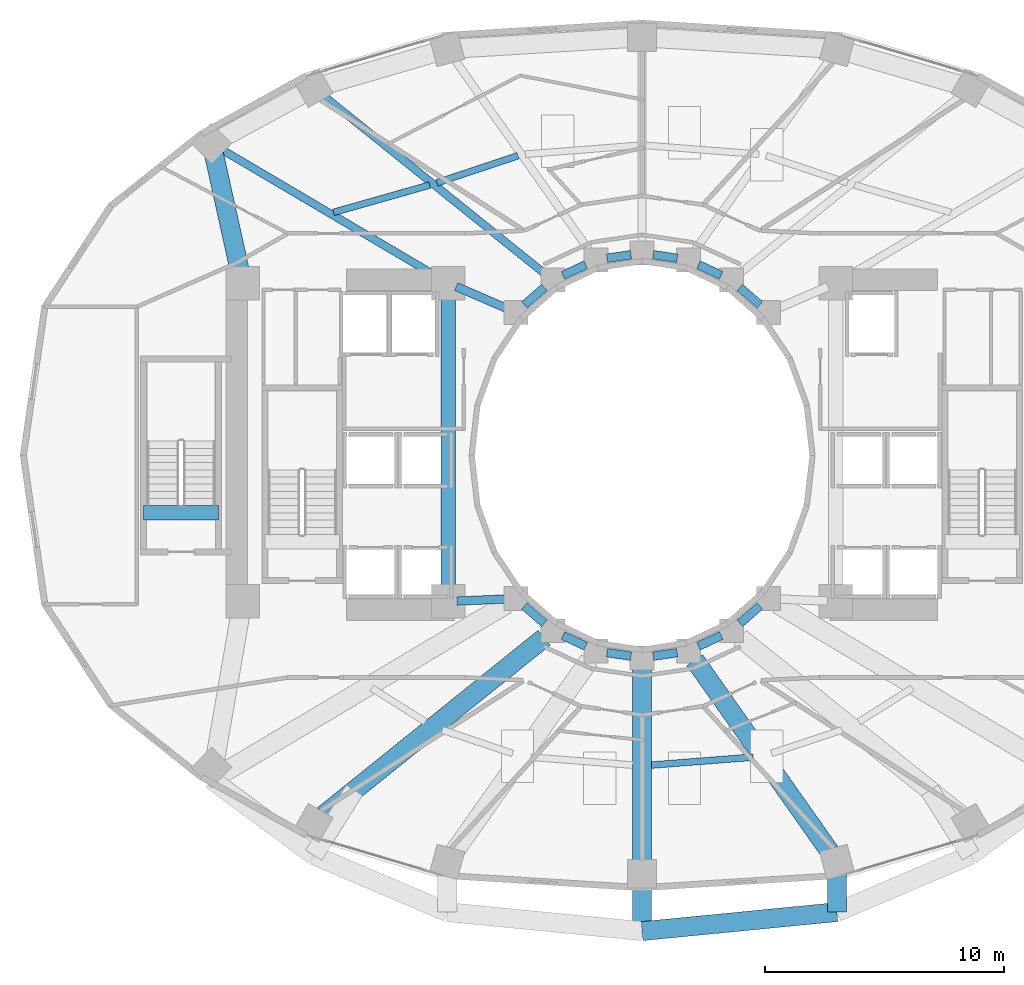
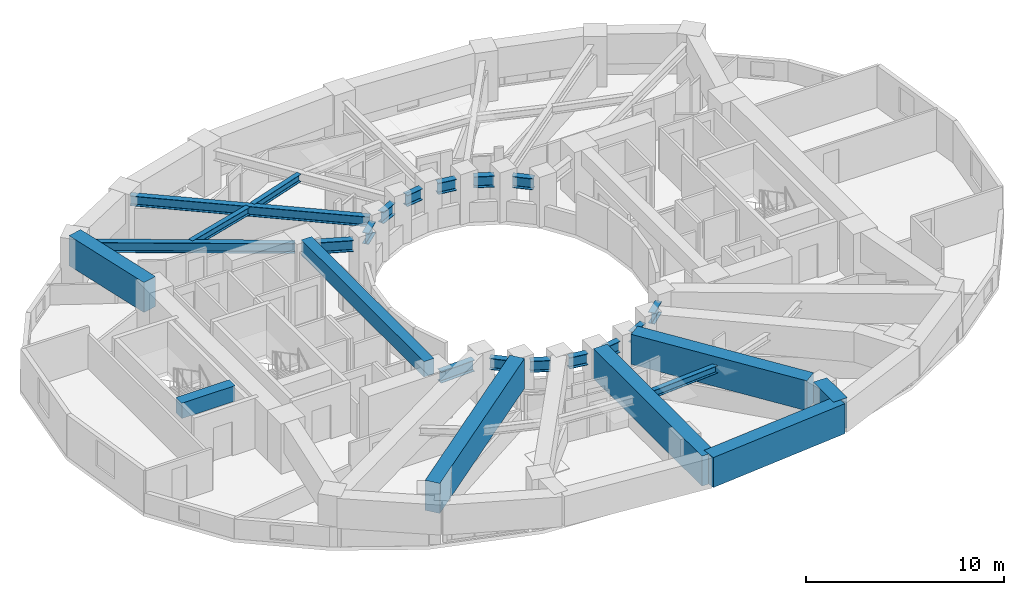
# One storey, part 4 of 17: 27 beams.
"""IFC4 building model written with IfcOpenShell, lengths in metres."""

from ifc_helpers import new_model, si_unit, direction, frame, origin, origin_2d, place, context, subcontext, project, spatial, rectangle, i_section, extrude, material, material_profile, profile_set, type_object, element, save


model = new_model("IFC4")

# Units and contexts
model_context = context("Model", 3, precision=1e-05, world=origin(), true_north=direction((0.0, 1.0)))
body_context = subcontext(model_context, "Body", "Model", "MODEL_VIEW")
ifc_project = project(units=[si_unit("LENGTHUNIT", "METRE"), si_unit("AREAUNIT", "SQUARE_METRE"), si_unit("VOLUMEUNIT", "CUBIC_METRE"), si_unit("PLANEANGLEUNIT", "RADIAN"), si_unit("MASSUNIT", "GRAM", prefix="KILO")], contexts=[model_context])

# Site, building, storey
site_placement = place(None, origin())
site = spatial("IfcSite", under=ifc_project, at=site_placement, CompositionType="ELEMENT")
building_placement = place(site_placement, origin())
building = spatial("IfcBuilding", under=site, at=building_placement, Name="Solvane Sanctuary Tower", CompositionType="ELEMENT")
storey_placement = place(building_placement, frame((0.0, 0.0, 52.39990234375)))
storey = spatial("IfcBuildingStorey", under=building, at=storey_placement, Name="L15", CompositionType="ELEMENT", Elevation=52.39990234375)

# Beams
ifc_material_1 = material(Name="Concrete C70/85", Category="concrete")
ifc_material_profile_1 = material_profile(ifc_material_1, rectangle(XDim=0.60009765625, YDim=0.949951171875, at=origin_2d()), Name="RC600X950")
ifc_profile_set_1 = profile_set([ifc_material_profile_1], Name="Concrete C70/85")
beam_type_1 = type_object("IfcBeamType", Name="Beam B-COUPLE RC600X950", PredefinedType="LINTEL", material=ifc_profile_set_1)
beam_1_placement = place(storey_placement, frame((23.89990234375, 17.35009765625, 2.625), z_axis=(0.0, 1.0, 0.0), x_axis=(-1.0, 0.0, 0.0)))
element("IfcBeam", 1, at=beam_1_placement, inside=storey, type_object=beam_type_1, Name="L15 West Core Coupling Lintel", PredefinedType="LINTEL", context=body_context, shape_type="SweptSolid", body=[
    extrude(rectangle(XDim=0.60009765625, YDim=0.949951171875, at=origin_2d()), origin(), (0.0, 0.0, 1.0), 12.39990234375),
])
beam_2_placement = place(storey_placement, frame((11.169921875, 20.59912109375, 2.625), z_axis=(1.0, 0.0, 0.0), x_axis=(0.0, 1.0, 0.0)))
element("IfcBeam", 2, at=beam_2_placement, inside=storey, type_object=beam_type_1, Name="L15 ST-3 Stair Floor Landing Trimmer", PredefinedType="LINTEL", context=body_context, shape_type="SweptSolid", body=[
    extrude(rectangle(XDim=0.60009765625, YDim=0.949951171875, at=origin_2d()), origin(), (0.0, 0.0, 1.0), 3.1201171875),
])
ifc_material_2 = material(Name="Steel ASTM A992 Grade 50", Category="steel")
ifc_material_profile_2 = material_profile(ifc_material_2, i_section(OverallWidth=0.323974609375, OverallDepth=0.611083984375, WebThickness=0.0126953125, FlangeThickness=0.01904296875, FilletRadius=0.01611328125, at=origin_2d()), Name="W24X104")
ifc_profile_set_2 = profile_set([ifc_material_profile_2], Name="Steel ASTM A992 Grade 50")
beam_type_2 = type_object("IfcBeamType", Name="Beam B-RAD-Z1 W24X104", PredefinedType="BEAM", material=ifc_profile_set_2)
beam_3_placement = place(storey_placement, frame((28.0517578125, 30.501953125, 2.29248046875), z_axis=(-0.779526985436, 0.626368644631, 0.0), x_axis=(-0.626368644631, -0.779526985436, 0.0)))
element("IfcBeam", 3, at=beam_3_placement, inside=storey, type_object=beam_type_2, Name="L15 Radial Composite Floor Beam 06", PredefinedType="BEAM", context=body_context, shape_type="SweptSolid", body=[
    extrude(i_section(OverallWidth=0.323974609375, OverallDepth=0.611083984375, WebThickness=0.0126953125, FlangeThickness=0.01904296875, FilletRadius=0.01611328125, at=origin_2d()), origin(), (0.0, 0.0, 1.0), 12.2646484375),
])
beam_4_placement = place(storey_placement, frame((23.58984375, 30.3828125, 2.29248046875), z_axis=(-0.861291129905, 0.508111788435, 0.0), x_axis=(-0.508111788435, -0.861291129905, 0.0)))
element("IfcBeam", 4, at=beam_4_placement, inside=storey, type_object=beam_type_2, Name="L15 Radial Composite Floor Beam 07", PredefinedType="BEAM", context=body_context, shape_type="SweptSolid", body=[
    extrude(i_section(OverallWidth=0.323974609375, OverallDepth=0.611083984375, WebThickness=0.0126953125, FlangeThickness=0.01904296875, FilletRadius=0.01611328125, at=origin_2d()), origin(), (0.0, 0.0, 1.0), 10.844482421875),
])
ifc_material_profile_3 = material_profile(ifc_material_2, i_section(OverallWidth=0.35498046875, OverallDepth=0.695068359375, WebThickness=0.015380859375, FlangeThickness=0.02490234375, FilletRadius=0.01806640625, at=origin_2d()), Name="W27X146")
ifc_profile_set_3 = profile_set([ifc_material_profile_3], Name="Steel ASTM A992 Grade 50")
beam_type_3 = type_object("IfcBeamType", Name="Beam B-RING-IN1 W27X146", PredefinedType="BEAM", material=ifc_profile_set_3)
beam_5_placement = place(storey_placement, frame((24.230712890625, 30.0576171875, 2.25048828125), z_axis=(0.918277080365, -0.395938383687, 0.0), x_axis=(0.395938383687, 0.918277080365, 0.0)))
element("IfcBeam", 5, at=beam_5_placement, inside=storey, type_object=beam_type_3, Name="L15 Inner Light-Well Ring Beam CW3-IC07", PredefinedType="BEAM", context=body_context, shape_type="SweptSolid", body=[
    extrude(i_section(OverallWidth=0.35498046875, OverallDepth=0.695068359375, WebThickness=0.015380859375, FlangeThickness=0.02490234375, FilletRadius=0.01806640625, at=origin_2d()), origin(), (0.0, 0.0, 1.0), 2.246337890625),
])
beam_6_placement = place(storey_placement, frame((27.07958984375, 29.29052734375, 2.25048828125), z_axis=(0.754320881993, 0.65650590781, 0.0), x_axis=(-0.65650590781, 0.754320881993, 0.0)))
element("IfcBeam", 6, at=beam_6_placement, inside=storey, type_object=beam_type_3, Name="L15 Inner Light-Well Ring Beam IC07-IC06", PredefinedType="BEAM", context=body_context, shape_type="SweptSolid", body=[
    extrude(i_section(OverallWidth=0.35498046875, OverallDepth=0.695068359375, WebThickness=0.015380859375, FlangeThickness=0.02490234375, FilletRadius=0.01806640625, at=origin_2d()), origin(), (0.0, 0.0, 1.0), 1.108154296875),
])
beam_7_placement = place(storey_placement, frame((28.6953125, 30.5263671875, 2.25048828125), z_axis=(0.905108885866, 0.42517984986, 0.0), x_axis=(-0.42517984986, 0.905108885866, 0.0)))
element("IfcBeam", 7, at=beam_7_placement, inside=storey, type_object=beam_type_3, Name="L15 Inner Light-Well Ring Beam IC06-IC05", PredefinedType="BEAM", context=body_context, shape_type="SweptSolid", body=[
    extrude(i_section(OverallWidth=0.35498046875, OverallDepth=0.695068359375, WebThickness=0.015380859375, FlangeThickness=0.02490234375, FilletRadius=0.01806640625, at=origin_2d()), origin(), (0.0, 0.0, 1.0), 1.0478515625),
])
for number, where, z_axis, x_axis, name in (
    (8, (30.533935546875, 31.2412109375, 2.25048828125), (0.989047520133, 0.147597435338, 0.0), (-0.147597435338, 0.989047520133, 0.0), "L15 Inner Light-Well Ring Beam IC05-IC04"),
    (9, (32.46484375, 31.390625, 2.25048828125), (0.989047520133, -0.147597435338, 0.0), (0.147597435338, 0.989047520133, 0.0), "L15 Inner Light-Well Ring Beam IC04-IC03"),
):
    element("IfcBeam", number, at=place(storey_placement, frame(where, z_axis=z_axis, x_axis=x_axis)), inside=storey, type_object=beam_type_3, Name=name, PredefinedType="BEAM", context=body_context, shape_type="SweptSolid", body=[
        extrude(i_section(OverallWidth=0.35498046875, OverallDepth=0.695068359375, WebThickness=0.015380859375, FlangeThickness=0.02490234375, FilletRadius=0.01806640625, at=origin_2d()), origin(), (0.0, 0.0, 1.0), 1.01220703125),
    ])
beam_8_placement = place(storey_placement, frame((34.356201171875, 30.971923828125, 2.25048828125), z_axis=(0.905108885866, -0.42517984986, 0.0), x_axis=(0.42517984986, 0.905108885866, 0.0)))
element("IfcBeam", 10, at=beam_8_placement, inside=storey, type_object=beam_type_3, Name="L15 Inner Light-Well Ring Beam IC03-IC02", PredefinedType="BEAM", context=body_context, shape_type="SweptSolid", body=[
    extrude(i_section(OverallWidth=0.35498046875, OverallDepth=0.695068359375, WebThickness=0.015380859375, FlangeThickness=0.02490234375, FilletRadius=0.01806640625, at=origin_2d()), origin(), (0.0, 0.0, 1.0), 1.0478515625),
])
beam_9_placement = place(storey_placement, frame((36.08447265625, 30.01806640625, 2.25048828125), z_axis=(0.754320881993, -0.65650590781, 0.0), x_axis=(0.65650590781, 0.754320881993, 0.0)))
element("IfcBeam", 11, at=beam_9_placement, inside=storey, type_object=beam_type_3, Name="L15 Inner Light-Well Ring Beam IC02-IC01", PredefinedType="BEAM", context=body_context, shape_type="SweptSolid", body=[
    extrude(i_section(OverallWidth=0.35498046875, OverallDepth=0.695068359375, WebThickness=0.015380859375, FlangeThickness=0.02490234375, FilletRadius=0.01806640625, at=origin_2d()), origin(), (0.0, 0.0, 1.0), 1.108154296875),
])
beam_10_placement = place(storey_placement, frame((24.259765625, 16.9150390625, 2.25048828125), z_axis=(0.999130953379, 0.041681386726, 0.0), x_axis=(-0.041681386726, 0.999130953379, 0.0)))
element("IfcBeam", 12, at=beam_10_placement, inside=storey, type_object=beam_type_3, Name="L15 Inner Light-Well Ring Beam CW2-IC08", PredefinedType="BEAM", context=body_context, shape_type="SweptSolid", body=[
    extrude(i_section(OverallWidth=0.35498046875, OverallDepth=0.695068359375, WebThickness=0.015380859375, FlangeThickness=0.02490234375, FilletRadius=0.01806640625, at=origin_2d()), origin(), (0.0, 0.0, 1.0), 1.997314453125),
])
beam_11_placement = place(storey_placement, frame((27.07958984375, 16.70947265625, 2.25048828125), z_axis=(0.754320881993, -0.65650590781, 0.0), x_axis=(0.65650590781, 0.754320881993, 0.0)))
element("IfcBeam", 13, at=beam_11_placement, inside=storey, type_object=beam_type_3, Name="L15 Inner Light-Well Ring Beam IC08-IC09", PredefinedType="BEAM", context=body_context, shape_type="SweptSolid", body=[
    extrude(i_section(OverallWidth=0.35498046875, OverallDepth=0.695068359375, WebThickness=0.015380859375, FlangeThickness=0.02490234375, FilletRadius=0.01806640625, at=origin_2d()), origin(), (0.0, 0.0, 1.0), 1.108154296875),
])
beam_12_placement = place(storey_placement, frame((28.6953125, 15.4736328125, 2.25048828125), z_axis=(0.905108885866, -0.42517984986, 0.0), x_axis=(0.42517984986, 0.905108885866, 0.0)))
element("IfcBeam", 14, at=beam_12_placement, inside=storey, type_object=beam_type_3, Name="L15 Inner Light-Well Ring Beam IC09-IC10", PredefinedType="BEAM", context=body_context, shape_type="SweptSolid", body=[
    extrude(i_section(OverallWidth=0.35498046875, OverallDepth=0.695068359375, WebThickness=0.015380859375, FlangeThickness=0.02490234375, FilletRadius=0.01806640625, at=origin_2d()), origin(), (0.0, 0.0, 1.0), 1.0478515625),
])
for number, where, z_axis, x_axis, name in (
    (15, (30.533935546875, 14.7587890625, 2.25048828125), (0.989047520133, -0.147597435338, 0.0), (0.147597435338, 0.989047520133, 0.0), "L15 Inner Light-Well Ring Beam IC10-IC11"),
    (16, (32.46484375, 14.609375, 2.25048828125), (0.989047520133, 0.147597435338, 0.0), (-0.147597435338, 0.989047520133, 0.0), "L15 Inner Light-Well Ring Beam IC11-IC12"),
):
    element("IfcBeam", number, at=place(storey_placement, frame(where, z_axis=z_axis, x_axis=x_axis)), inside=storey, type_object=beam_type_3, Name=name, PredefinedType="BEAM", context=body_context, shape_type="SweptSolid", body=[
        extrude(i_section(OverallWidth=0.35498046875, OverallDepth=0.695068359375, WebThickness=0.015380859375, FlangeThickness=0.02490234375, FilletRadius=0.01806640625, at=origin_2d()), origin(), (0.0, 0.0, 1.0), 1.01220703125),
    ])
beam_13_placement = place(storey_placement, frame((34.356201171875, 15.028076171875, 2.25048828125), z_axis=(0.905108885866, 0.42517984986, 0.0), x_axis=(-0.42517984986, 0.905108885866, 0.0)))
element("IfcBeam", 17, at=beam_13_placement, inside=storey, type_object=beam_type_3, Name="L15 Inner Light-Well Ring Beam IC12-IC13", PredefinedType="BEAM", context=body_context, shape_type="SweptSolid", body=[
    extrude(i_section(OverallWidth=0.35498046875, OverallDepth=0.695068359375, WebThickness=0.015380859375, FlangeThickness=0.02490234375, FilletRadius=0.01806640625, at=origin_2d()), origin(), (0.0, 0.0, 1.0), 1.0478515625),
])
beam_14_placement = place(storey_placement, frame((36.08447265625, 15.98193359375, 2.25048828125), z_axis=(0.754320881993, 0.65650590781, 0.0), x_axis=(-0.65650590781, 0.754320881993, 0.0)))
element("IfcBeam", 18, at=beam_14_placement, inside=storey, type_object=beam_type_3, Name="L15 Inner Light-Well Ring Beam IC13-IC14", PredefinedType="BEAM", context=body_context, shape_type="SweptSolid", body=[
    extrude(i_section(OverallWidth=0.35498046875, OverallDepth=0.695068359375, WebThickness=0.015380859375, FlangeThickness=0.02490234375, FilletRadius=0.01806640625, at=origin_2d()), origin(), (0.0, 0.0, 1.0), 1.108154296875),
])
ifc_material_profile_4 = material_profile(ifc_material_2, i_section(OverallWidth=0.280029296875, OverallDepth=0.462890625, WebThickness=0.0107421875, FlangeThickness=0.017333984375, FilletRadius=0.013916015625, at=origin_2d()), Name="W18X76")
ifc_profile_set_4 = profile_set([ifc_material_profile_4], Name="Steel ASTM A992 Grade 50")
beam_type_4 = type_object("IfcBeamType", Name="Beam B-SEC-JOIST W18X76", PredefinedType="JOIST", material=ifc_profile_set_4)
beam_15_placement = place(storey_placement, frame((19.10498046875, 33.160400390625, 2.36669921875), z_axis=(0.962003645121, 0.273036603358, 0.0), x_axis=(-0.273036603358, 0.962003645121, 0.0)))
element("IfcBeam", 19, at=beam_15_placement, inside=storey, type_object=beam_type_4, Name="L15 Secondary Circumferential Joist 07-06", PredefinedType="JOIST", context=body_context, shape_type="SweptSolid", body=[
    extrude(i_section(OverallWidth=0.280029296875, OverallDepth=0.462890625, WebThickness=0.0107421875, FlangeThickness=0.017333984375, FilletRadius=0.013916015625, at=origin_2d()), origin(), (0.0, 0.0, 1.0), 4.174072265625),
])
beam_16_placement = place(storey_placement, frame((23.42041015625, 34.392822265625, 2.36669921875), z_axis=(0.948259393162, 0.317496650816, 0.0), x_axis=(-0.317496650816, 0.948259393162, 0.0)))
element("IfcBeam", 20, at=beam_16_placement, inside=storey, type_object=beam_type_4, Name="L15 Secondary Circumferential Joist 06-05", PredefinedType="JOIST", context=body_context, shape_type="SweptSolid", body=[
    extrude(i_section(OverallWidth=0.280029296875, OverallDepth=0.462890625, WebThickness=0.0107421875, FlangeThickness=0.017333984375, FilletRadius=0.013916015625, at=origin_2d()), origin(), (0.0, 0.0, 1.0), 3.577880859375),
])
beam_17_placement = place(storey_placement, frame((32.393798828125, 10.060546875, 2.36669921875), z_axis=(0.99699353627, 0.077484763891, 0.0), x_axis=(-0.077484763891, 0.99699353627, 0.0)))
element("IfcBeam", 21, at=beam_17_placement, inside=storey, type_object=beam_type_4, Name="L15 Secondary Circumferential Joist 11-12", PredefinedType="JOIST", context=body_context, shape_type="SweptSolid", body=[
    extrude(i_section(OverallWidth=0.280029296875, OverallDepth=0.462890625, WebThickness=0.0107421875, FlangeThickness=0.017333984375, FilletRadius=0.013916015625, at=origin_2d()), origin(), (0.0, 0.0, 1.0), 4.262939453125),
])
ifc_material_profile_5 = material_profile(ifc_material_1, rectangle(XDim=0.800048828125, YDim=1.85009765625, at=origin_2d()), Name="RC800X1850")
ifc_profile_set_5 = profile_set([ifc_material_profile_5], Name="Concrete C70/85")
beam_type_5 = type_object("IfcBeamType", Name="Beam B-XFER-BLK RC800X1850", PredefinedType="BEAM", material=ifc_profile_set_5)
beam_18_placement = place(storey_placement, frame((27.903564453125, 15.37890625, 2.175048828125), z_axis=(-0.779534656312, -0.626359097969, 0.0), x_axis=(0.626359097969, -0.779534656312, 0.0)))
element("IfcBeam", 22, at=beam_18_placement, inside=storey, type_object=beam_type_5, Name="L15 Block-Shift Radial Transfer Girder 09A", PredefinedType="BEAM", context=body_context, shape_type="SweptSolid", body=[
    extrude(rectangle(XDim=0.800048828125, YDim=1.85009765625, at=origin_2d()), origin(), (0.0, 0.0, 1.0), 11.83447265625),
])
beam_19_placement = place(storey_placement, frame((32.0, 14.070068359375, 2.175048828125), z_axis=(0.0, -1.0, 0.0), x_axis=(1.0, 0.0, 0.0)))
element("IfcBeam", 23, at=beam_19_placement, inside=storey, type_object=beam_type_5, Name="L15 Block-Shift Radial Transfer Girder 11A", PredefinedType="BEAM", context=body_context, shape_type="SweptSolid", body=[
    extrude(rectangle(XDim=0.800048828125, YDim=1.85009765625, at=origin_2d()), origin(), (0.0, 0.0, 1.0), 10.949951171875),
])
beam_20_placement = place(storey_placement, frame((34.20166015625, 14.444091796875, 2.175048828125), z_axis=(0.576221171819, -0.817293803444, 0.0), x_axis=(0.817293803444, 0.576221171819, 0.0)))
element("IfcBeam", 24, at=beam_20_placement, inside=storey, type_object=beam_type_5, Name="L15 Block-Shift Radial Transfer Girder 12A", PredefinedType="BEAM", context=body_context, shape_type="SweptSolid", body=[
    extrude(rectangle(XDim=0.800048828125, YDim=1.85009765625, at=origin_2d()), origin(), (0.0, 0.0, 1.0), 9.794189453125),
])
beam_21_placement = place(storey_placement, frame((40.14501953125, 5.964599609375, 2.175048828125), z_axis=(0.0, -1.0, 0.0), x_axis=(1.0, 0.0, 0.0)))
element("IfcBeam", 25, at=beam_21_placement, inside=storey, type_object=beam_type_5, Name="L15 Block-Shift Transfer Tie 12B", PredefinedType="BEAM", context=body_context, shape_type="SweptSolid", body=[
    extrude(rectangle(XDim=0.800048828125, YDim=1.85009765625, at=origin_2d()), origin(), (0.0, 0.0, 1.0), 2.04833984375),
])
beam_22_placement = place(storey_placement, frame((15.22216796875, 30.551513671875, 2.175048828125), z_axis=(-0.216120353699, 0.976366730648, 0.0), x_axis=(-0.976366730648, -0.216120353699, 0.0)))
element("IfcBeam", 26, at=beam_22_placement, inside=storey, type_object=beam_type_5, Name="L15 Perimeter Step Transfer Ring CW4-NTC07", PredefinedType="BEAM", context=body_context, shape_type="SweptSolid", body=[
    extrude(rectangle(XDim=0.800048828125, YDim=1.85009765625, at=origin_2d()), origin(), (0.0, 0.0, 1.0), 5.61669921875),
])
beam_23_placement = place(storey_placement, frame((32.0, 3.1201171875, 2.175048828125), z_axis=(0.995256826983, 0.097282312595, 0.0), x_axis=(-0.097282312595, 0.995256826983, 0.0)))
element("IfcBeam", 27, at=beam_23_placement, inside=storey, type_object=beam_type_5, Name="L15 Perimeter Step Transfer Ring NTC11-NTC12", PredefinedType="BEAM", context=body_context, shape_type="SweptSolid", body=[
    extrude(rectangle(XDim=0.800048828125, YDim=1.85009765625, at=origin_2d()), origin(), (0.0, 0.0, 1.0), 8.183837890625),
])

save(model, "model.ifc")
